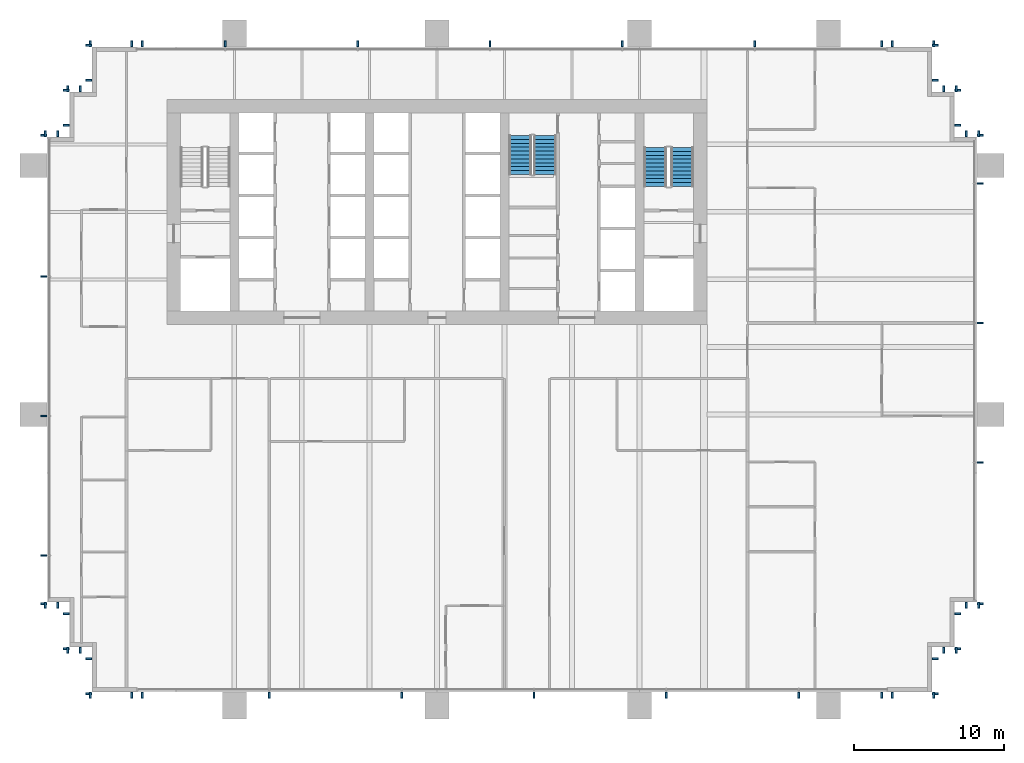
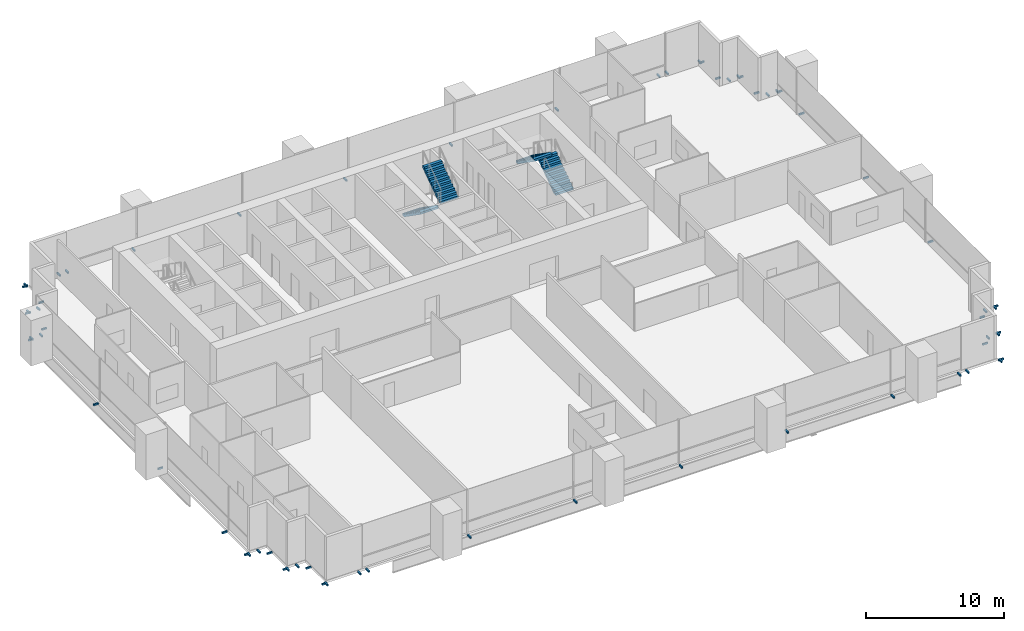
# One storey, part 16 of 17: 64 discrete accessories, 4 stair flights, 2 elements without a shape of their own.
"""IFC4 building model written with IfcOpenShell, lengths in metres."""

from ifc_helpers import new_model, si_unit, direction, frame, origin, origin_2d, place, context, subcontext, project, spatial, polyline, rectangle, outline, extrude, material, type_object, element, aggregate, save


model = new_model("IFC4")

# Units and contexts
model_context = context("Model", 3, precision=1e-05, world=origin(), true_north=direction((0.0, 1.0)))
body_context = subcontext(model_context, "Body", "Model", "MODEL_VIEW")
ifc_project = project(units=[si_unit("LENGTHUNIT", "METRE"), si_unit("AREAUNIT", "SQUARE_METRE"), si_unit("VOLUMEUNIT", "CUBIC_METRE"), si_unit("PLANEANGLEUNIT", "RADIAN"), si_unit("MASSUNIT", "GRAM", prefix="KILO")], contexts=[model_context])

# Site, building, storey
site_placement = place(None, origin())
site = spatial("IfcSite", under=ifc_project, at=site_placement, CompositionType="ELEMENT")
building_placement = place(site_placement, origin())
building = spatial("IfcBuilding", under=site, at=building_placement, Name="Rattan Terrace Tower", CompositionType="ELEMENT")
storey_placement = place(building_placement, frame((0.0, 0.0, 95.699951171875)))
storey = spatial("IfcBuildingStorey", under=building, at=storey_placement, Name="L21", CompositionType="ELEMENT", Elevation=95.699951171875)

# Stair, stair flights
ifc_material_1 = material(Name="Concrete C40/50", Category="concrete")
stair_type = type_object("IfcStairType", Name="Core exit stair 1500", PredefinedType="HALF_TURN_STAIR", material=ifc_material_1)
stair_1_placement = place(storey_placement, origin())
stair_1 = element("IfcStair", 1, at=stair_1_placement, inside=storey, type_object=stair_type, Name="L21 exit stair 2", PredefinedType="HALF_TURN_STAIR")
ifc_material_2 = material(Name="Concrete C40/50", Category="concrete")
stair_flight_type = type_object("IfcStairFlightType", Name="Core exit stair flight 1500", PredefinedType="STRAIGHT", material=ifc_material_2)
stair_flight_1_placement = place(storey_placement, frame((16.35009765625, 1.699951171875, 0.0), z_axis=(0.0, 0.0, 1.0), x_axis=(0.0, 1.0, 0.0)))
stair_flight_1 = element("IfcStairFlight", 2, at=stair_flight_1_placement, type_object=stair_flight_type, Name="S2 flight 1", NumberOfRisers=11, NumberOfTreads=10, PredefinedType="STRAIGHT", RiserHeight=0.181818182, TreadLength=0.26, context=body_context, shape_type="SweptSolid", body=[
    extrude(outline(polyline([(0.0, 0.0), (0.0, 0.181884765625), (0.260009765625, 0.181884765625), (0.260009765625, 0.363525390625), (0.52001953125, 0.363525390625), (0.52001953125, 0.54541015625), (0.780029296875, 0.54541015625), (0.780029296875, 0.727294921875), (1.0400390625, 0.727294921875), (1.0400390625, 0.9091796875), (1.300048828125, 0.9091796875), (1.300048828125, 1.0908203125), (1.56005859375, 1.0908203125), (1.56005859375, 1.272705078125), (1.820068359375, 1.272705078125), (1.820068359375, 1.45458984375), (2.080078125, 1.45458984375), (2.080078125, 1.636474609375), (2.340087890625, 1.636474609375), (2.340087890625, 1.818115234375), (2.60009765625, 1.818115234375), (2.60009765625, 2.0), (2.60009765625, 1.63525390625), (0.261474609375, 0.0), (0.0, 0.0)])), frame((0.0, 0.75, 0.0), z_axis=(0.0, -1.0, 0.0), x_axis=(1.0, 0.0, 0.0)), (0.0, 0.0, 1.0), 1.5),
])
stair_flight_2_placement = place(storey_placement, frame((14.550048828125, 4.300048828125, 2.0), z_axis=(0.0, 0.0, 1.0), x_axis=(0.0, -1.0, 0.0)))
stair_flight_2 = element("IfcStairFlight", 3, at=stair_flight_2_placement, type_object=stair_flight_type, Name="S2 flight 2", NumberOfRisers=11, NumberOfTreads=10, PredefinedType="STRAIGHT", RiserHeight=0.181818182, TreadLength=0.26, context=body_context, shape_type="SweptSolid", body=[
    extrude(outline(polyline([(0.0, 0.0), (0.0, 0.181884765625), (0.260009765625, 0.181884765625), (0.260009765625, 0.363525390625), (0.52001953125, 0.363525390625), (0.52001953125, 0.54541015625), (0.780029296875, 0.54541015625), (0.780029296875, 0.727294921875), (1.0400390625, 0.727294921875), (1.0400390625, 0.9091796875), (1.300048828125, 0.9091796875), (1.300048828125, 1.0908203125), (1.56005859375, 1.0908203125), (1.56005859375, 1.272705078125), (1.820068359375, 1.272705078125), (1.820068359375, 1.45458984375), (2.080078125, 1.45458984375), (2.080078125, 1.636474609375), (2.340087890625, 1.636474609375), (2.340087890625, 1.818115234375), (2.60009765625, 1.818115234375), (2.60009765625, 2.0), (2.60009765625, 1.63525390625), (0.261474609375, 0.0), (0.0, 0.0)])), frame((0.0, 0.75, 0.0), z_axis=(0.0, -1.0, 0.0), x_axis=(1.0, 0.0, 0.0)), (0.0, 0.0, 1.0), 1.5),
])
aggregate(stair_1, [stair_flight_1, stair_flight_2])

stair_2_placement = place(storey_placement, origin())
stair_2 = element("IfcStair", 4, at=stair_2_placement, inside=storey, type_object=stair_type, Name="L21 exit stair 3", PredefinedType="HALF_TURN_STAIR")
stair_flight_3_placement = place(storey_placement, frame((5.550048828125, 5.10009765625, 0.0), z_axis=(0.0, 0.0, 1.0), x_axis=(0.0, -1.0, 0.0)))
stair_flight_3 = element("IfcStairFlight", 5, at=stair_flight_3_placement, type_object=stair_flight_type, Name="S3 flight 1", NumberOfRisers=11, NumberOfTreads=10, PredefinedType="STRAIGHT", RiserHeight=0.181818182, TreadLength=0.26, context=body_context, shape_type="SweptSolid", body=[
    extrude(outline(polyline([(0.0, 0.0), (0.0, 0.181884765625), (0.260009765625, 0.181884765625), (0.260009765625, 0.363525390625), (0.52001953125, 0.363525390625), (0.52001953125, 0.54541015625), (0.780029296875, 0.54541015625), (0.780029296875, 0.727294921875), (1.0400390625, 0.727294921875), (1.0400390625, 0.9091796875), (1.300048828125, 0.9091796875), (1.300048828125, 1.0908203125), (1.56005859375, 1.0908203125), (1.56005859375, 1.272705078125), (1.820068359375, 1.272705078125), (1.820068359375, 1.45458984375), (2.080078125, 1.45458984375), (2.080078125, 1.636474609375), (2.340087890625, 1.636474609375), (2.340087890625, 1.818115234375), (2.60009765625, 1.818115234375), (2.60009765625, 2.0), (2.60009765625, 1.63525390625), (0.261474609375, 0.0), (0.0, 0.0)])), frame((0.0, 0.75, 0.0), z_axis=(0.0, -1.0, 0.0), x_axis=(1.0, 0.0, 0.0)), (0.0, 0.0, 1.0), 1.5),
])
stair_flight_4_placement = place(storey_placement, frame((7.199951171875, 2.5, 2.0), z_axis=(0.0, 0.0, 1.0), x_axis=(0.0, 1.0, 0.0)))
stair_flight_4 = element("IfcStairFlight", 6, at=stair_flight_4_placement, type_object=stair_flight_type, Name="S3 flight 2", NumberOfRisers=11, NumberOfTreads=10, PredefinedType="STRAIGHT", RiserHeight=0.181818182, TreadLength=0.26, context=body_context, shape_type="SweptSolid", body=[
    extrude(outline(polyline([(0.0, 0.0), (0.0, 0.181884765625), (0.260009765625, 0.181884765625), (0.260009765625, 0.363525390625), (0.52001953125, 0.363525390625), (0.52001953125, 0.54541015625), (0.780029296875, 0.54541015625), (0.780029296875, 0.727294921875), (1.0400390625, 0.727294921875), (1.0400390625, 0.9091796875), (1.300048828125, 0.9091796875), (1.300048828125, 1.0908203125), (1.56005859375, 1.0908203125), (1.56005859375, 1.272705078125), (1.820068359375, 1.272705078125), (1.820068359375, 1.45458984375), (2.080078125, 1.45458984375), (2.080078125, 1.636474609375), (2.340087890625, 1.636474609375), (2.340087890625, 1.818115234375), (2.60009765625, 1.818115234375), (2.60009765625, 2.0), (2.60009765625, 1.63525390625), (0.261474609375, 0.0), (0.0, 0.0)])), frame((0.0, 0.75, 0.0), z_axis=(0.0, -1.0, 0.0), x_axis=(1.0, 0.0, 0.0)), (0.0, 0.0, 1.0), 1.5),
])
aggregate(stair_2, [stair_flight_3, stair_flight_4])

# Discrete accessories
for number, where, z_axis, x_axis, name in (
    (7, (30.340087890625, -32.2099609375, -0.169921875), (0.0, 0.0, 1.0), (1.0, 0.0, 0.0), "Panel bracket L21-1"),
    (8, (33.110107421875, -32.2099609375, -0.169921875), (0.0, 0.0, 1.0), (1.0, 0.0, 0.0), "Panel bracket L21-2"),
    (9, (33.2099609375, -32.110107421875, -0.169921875), (0.0, 0.0, 1.0), (0.0, 1.0, 0.0), "Panel bracket L21-3"),
    (10, (33.2099609375, -29.7900390625, -0.169921875), (0.0, 0.0, 1.0), (0.0, 1.0, 0.0), "Panel bracket L21-4"),
    (11, (33.7900390625, -29.2099609375, -0.169921875), (0.0, 0.0, 1.0), (1.0, 0.0, 0.0), "Panel bracket L21-5"),
    (12, (34.610107421875, -29.2099609375, -0.169921875), (0.0, 0.0, 1.0), (1.0, 0.0, 0.0), "Panel bracket L21-6"),
    (13, (34.7099609375, -29.110107421875, -0.169921875), (0.0, 0.0, 1.0), (0.0, 1.0, 0.0), "Panel bracket L21-7"),
    (14, (34.7099609375, -26.7900390625, -0.169921875), (0.0, 0.0, 1.0), (0.0, 1.0, 0.0), "Panel bracket L21-8"),
    (15, (35.2900390625, -26.2099609375, -0.169921875), (0.0, 0.0, 1.0), (1.0, 0.0, 0.0), "Panel bracket L21-9"),
    (16, (36.110107421875, -26.2099609375, -0.169921875), (0.0, 0.0, 1.0), (1.0, 0.0, 0.0), "Panel bracket L21-10"),
    (17, (36.2099609375, -26.110107421875, -0.169921875), (0.0, 0.0, 1.0), (0.0, 1.0, 0.0), "Panel bracket L21-11"),
    (18, (36.2099609375, -16.699951171875, -0.169921875), (0.0, 0.0, 1.0), (0.0, 1.0, 0.0), "Panel bracket L21-12"),
    (19, (36.2099609375, -7.39990234375, -0.169921875), (0.0, 0.0, 1.0), (0.0, 1.0, 0.0), "Panel bracket L21-13"),
    (20, (36.2099609375, 1.89990234375, -0.169921875), (0.0, 0.0, 1.0), (0.0, 1.0, 0.0), "Panel bracket L21-14"),
    (21, (36.2099609375, 5.110107421875, -0.169921875), (0.0, 0.0, 1.0), (0.0, 1.0, 0.0), "Panel bracket L21-15"),
    (22, (36.110107421875, 5.2099609375, -0.169921875), (0.0, 0.0, 1.0), (-1.0, 0.0, 0.0), "Panel bracket L21-16"),
    (23, (35.2900390625, 5.2099609375, -0.169921875), (0.0, 0.0, 1.0), (-1.0, 0.0, 0.0), "Panel bracket L21-17"),
    (24, (34.7099609375, 5.7900390625, -0.169921875), (0.0, 0.0, 1.0), (0.0, 1.0, 0.0), "Panel bracket L21-18"),
    (25, (34.7099609375, 8.110107421875, -0.169921875), (0.0, 0.0, 1.0), (0.0, 1.0, 0.0), "Panel bracket L21-19"),
    (26, (34.610107421875, 8.2099609375, -0.169921875), (0.0, 0.0, 1.0), (-1.0, 0.0, 0.0), "Panel bracket L21-20"),
    (27, (33.7900390625, 8.2099609375, -0.169921875), (0.0, 0.0, 1.0), (-1.0, 0.0, 0.0), "Panel bracket L21-21"),
    (28, (33.2099609375, 8.7900390625, -0.169921875), (0.0, 0.0, 1.0), (0.0, 1.0, 0.0), "Panel bracket L21-22"),
    (29, (33.2099609375, 11.110107421875, -0.169921875), (0.0, 0.0, 1.0), (0.0, 1.0, 0.0), "Panel bracket L21-23"),
    (30, (33.110107421875, 11.2099609375, -0.169921875), (0.0, 0.0, 1.0), (-1.0, 0.0, 0.0), "Panel bracket L21-24"),
    (31, (30.340087890625, 11.2099609375, -0.169921875), (0.0, 0.0, 1.0), (-1.0, 0.0, 0.0), "Panel bracket L21-25"),
    (32, (29.659912109375, 11.2099609375, -0.169921875), (0.0, 0.0, 1.0), (-1.0, 0.0, 0.0), "Panel bracket L21-26"),
    (33, (21.177001953125, 11.2099609375, -0.169921875), (0.0, 0.0, 1.0), (-1.0, 0.0, 0.0), "Panel bracket L21-27"),
    (34, (12.35400390625, 11.2099609375, -0.169921875), (0.0, 0.0, 1.0), (-1.0, 0.0, 0.0), "Panel bracket L21-28"),
    (35, (3.531005859375, 11.2099609375, -0.169921875), (0.0, 0.0, 1.0), (-1.0, 0.0, 0.0), "Panel bracket L21-29"),
    (36, (-5.2919921875, 11.2099609375, -0.169921875), (0.0, 0.0, 1.0), (-1.0, 0.0, 0.0), "Panel bracket L21-30"),
    (37, (-14.114990234375, 11.2099609375, -0.169921875), (0.0, 0.0, 1.0), (-1.0, 0.0, 0.0), "Panel bracket L21-31"),
    (38, (-19.659912109375, 11.2099609375, -0.169921875), (0.0, 0.0, 1.0), (-1.0, 0.0, 0.0), "Panel bracket L21-32"),
    (39, (-20.340087890625, 11.2099609375, -0.169921875), (0.0, 0.0, 1.0), (-1.0, 0.0, 0.0), "Panel bracket L21-33"),
    (40, (-23.110107421875, 11.2099609375, -0.169921875), (0.0, 0.0, 1.0), (-1.0, 0.0, 0.0), "Panel bracket L21-34"),
    (41, (-23.2099609375, 11.110107421875, -0.169921875), (0.0, 0.0, 1.0), (0.0, -1.0, 0.0), "Panel bracket L21-35"),
    (42, (-23.2099609375, 8.7900390625, -0.169921875), (0.0, 0.0, 1.0), (0.0, -1.0, 0.0), "Panel bracket L21-36"),
    (43, (-23.7900390625, 8.2099609375, -0.169921875), (0.0, 0.0, 1.0), (-1.0, 0.0, 0.0), "Panel bracket L21-37"),
    (44, (-24.610107421875, 8.2099609375, -0.169921875), (0.0, 0.0, 1.0), (-1.0, 0.0, 0.0), "Panel bracket L21-38"),
    (45, (-24.7099609375, 8.110107421875, -0.169921875), (0.0, 0.0, 1.0), (0.0, -1.0, 0.0), "Panel bracket L21-39"),
    (46, (-24.7099609375, 5.7900390625, -0.169921875), (0.0, 0.0, 1.0), (0.0, -1.0, 0.0), "Panel bracket L21-40"),
    (47, (-25.2900390625, 5.2099609375, -0.169921875), (0.0, 0.0, 1.0), (-1.0, 0.0, 0.0), "Panel bracket L21-41"),
    (48, (-26.110107421875, 5.2099609375, -0.169921875), (0.0, 0.0, 1.0), (-1.0, 0.0, 0.0), "Panel bracket L21-42"),
    (49, (-26.2099609375, 5.110107421875, -0.169921875), (0.0, 0.0, 1.0), (0.0, -1.0, 0.0), "Panel bracket L21-43"),
    (50, (-26.2099609375, -4.300048828125, -0.169921875), (0.0, 0.0, 1.0), (0.0, -1.0, 0.0), "Panel bracket L21-44"),
    (51, (-26.2099609375, -13.60009765625, -0.169921875), (0.0, 0.0, 1.0), (0.0, -1.0, 0.0), "Panel bracket L21-45"),
    (52, (-26.2099609375, -22.89990234375, -0.169921875), (0.0, 0.0, 1.0), (0.0, -1.0, 0.0), "Panel bracket L21-46"),
    (53, (-26.2099609375, -26.110107421875, -0.169921875), (0.0, 0.0, 1.0), (0.0, -1.0, 0.0), "Panel bracket L21-47"),
    (54, (-26.110107421875, -26.2099609375, -0.169921875), (0.0, 0.0, 1.0), (1.0, 0.0, 0.0), "Panel bracket L21-48"),
    (55, (-25.2900390625, -26.2099609375, -0.169921875), (0.0, 0.0, 1.0), (1.0, 0.0, 0.0), "Panel bracket L21-49"),
    (56, (-24.7099609375, -26.7900390625, -0.169921875), (0.0, 0.0, 1.0), (0.0, -1.0, 0.0), "Panel bracket L21-50"),
    (57, (-24.7099609375, -29.110107421875, -0.169921875), (0.0, 0.0, 1.0), (0.0, -1.0, 0.0), "Panel bracket L21-51"),
    (58, (-24.610107421875, -29.2099609375, -0.169921875), (0.0, 0.0, 1.0), (1.0, 0.0, 0.0), "Panel bracket L21-52"),
    (59, (-23.7900390625, -29.2099609375, -0.169921875), (0.0, 0.0, 1.0), (1.0, 0.0, 0.0), "Panel bracket L21-53"),
    (60, (-23.2099609375, -29.7900390625, -0.169921875), (0.0, 0.0, 1.0), (0.0, -1.0, 0.0), "Panel bracket L21-54"),
    (61, (-23.2099609375, -32.110107421875, -0.169921875), (0.0, 0.0, 1.0), (0.0, -1.0, 0.0), "Panel bracket L21-55"),
    (62, (-23.110107421875, -32.2099609375, -0.169921875), (0.0, 0.0, 1.0), (1.0, 0.0, 0.0), "Panel bracket L21-56"),
    (63, (-20.340087890625, -32.2099609375, -0.169921875), (0.0, 0.0, 1.0), (1.0, 0.0, 0.0), "Panel bracket L21-57"),
    (64, (-19.659912109375, -32.2099609375, -0.169921875), (0.0, 0.0, 1.0), (1.0, 0.0, 0.0), "Panel bracket L21-58"),
    (65, (-11.177001953125, -32.2099609375, -0.169921875), (0.0, 0.0, 1.0), (1.0, 0.0, 0.0), "Panel bracket L21-59"),
    (66, (-2.35400390625, -32.2099609375, -0.169921875), (0.0, 0.0, 1.0), (1.0, 0.0, 0.0), "Panel bracket L21-60"),
    (67, (6.468994140625, -32.2099609375, -0.169921875), (0.0, 0.0, 1.0), (1.0, 0.0, 0.0), "Panel bracket L21-61"),
    (68, (15.2919921875, -32.2099609375, -0.169921875), (0.0, 0.0, 1.0), (1.0, 0.0, 0.0), "Panel bracket L21-62"),
    (69, (24.114990234375, -32.2099609375, -0.169921875), (0.0, 0.0, 1.0), (1.0, 0.0, 0.0), "Panel bracket L21-63"),
    (70, (29.659912109375, -32.2099609375, -0.169921875), (0.0, 0.0, 1.0), (1.0, 0.0, 0.0), "Panel bracket L21-64"),
):
    element("IfcDiscreteAccessory", number, at=place(storey_placement, frame(where, z_axis=z_axis, x_axis=x_axis)), inside=storey, Name=name, PredefinedType="BRACKET", context=body_context, shape_type="SweptSolid", body=[
        extrude(rectangle(XDim=0.1201171875, YDim=0.419921875, at=origin_2d()), origin(), (0.0, 0.0, 1.0), 0.139892578125),
    ])

save(model, "model.ifc")
